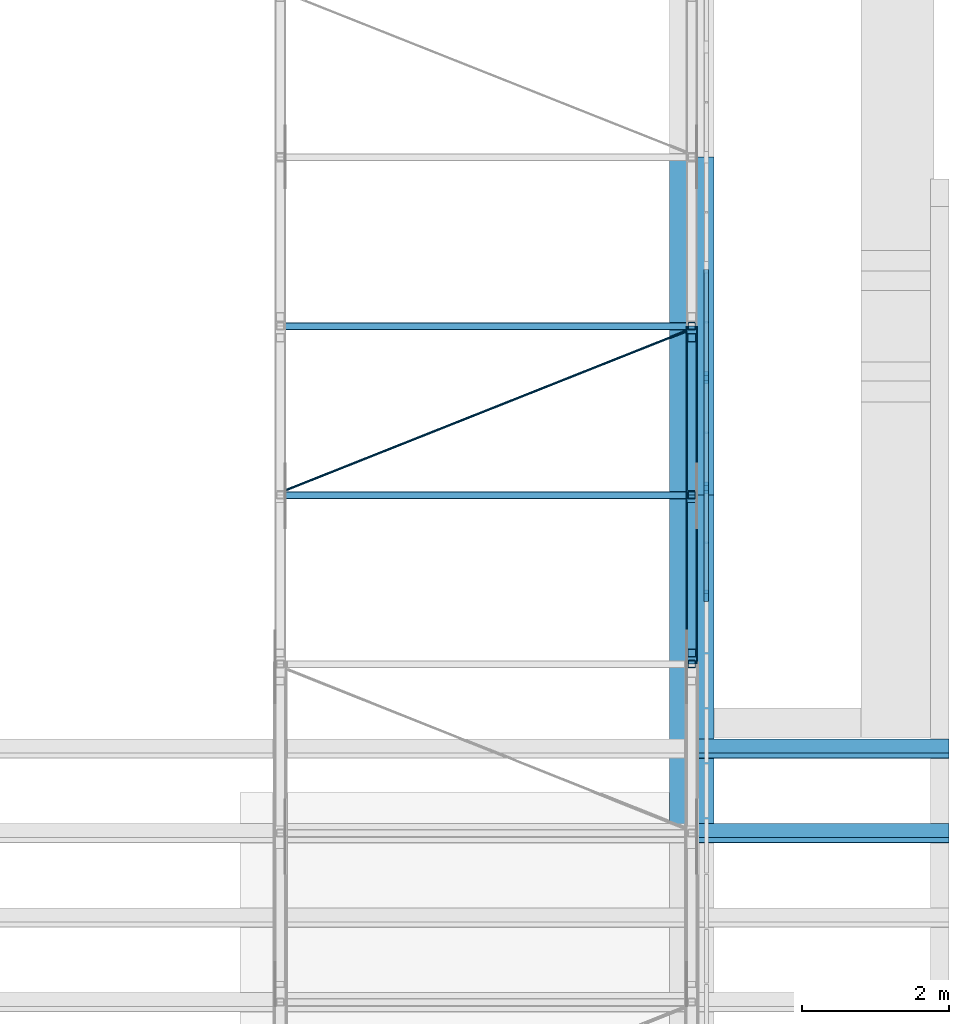
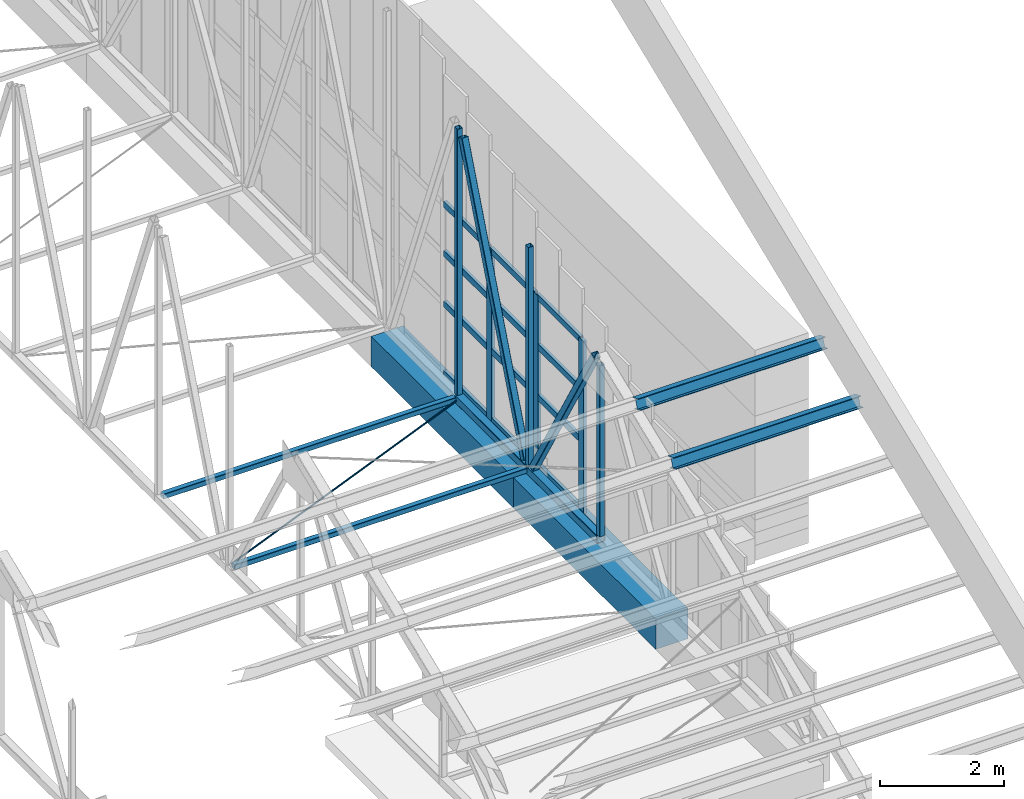
# One storey, part 24 of 71: 27 members, 2 beams, 1 element without a shape of its own.
"""IFC4 building model written with IfcOpenShell, lengths in metres."""

from ifc_helpers import new_model, si_unit, direction, frame, origin, origin_2d, place, context, subcontext, project, spatial, rectangle, hollow_rectangle, circle, i_section, extrude, material, layer, layer_set, material_profile, profile_set, type_object, element, aggregate, save


model = new_model("IFC4")

# Units and contexts
model_context = context("Model", 3, precision=1e-05, world=origin(), true_north=direction((0.0, 1.0)))
body_context = subcontext(model_context, "Body", "Model", "MODEL_VIEW")
ifc_project = project(units=[si_unit("LENGTHUNIT", "METRE"), si_unit("AREAUNIT", "SQUARE_METRE"), si_unit("VOLUMEUNIT", "CUBIC_METRE"), si_unit("PLANEANGLEUNIT", "RADIAN"), si_unit("MASSUNIT", "GRAM", prefix="KILO")], contexts=[model_context])

# Site, building, storey
site_placement = place(None, origin())
site = spatial("IfcSite", under=ifc_project, at=site_placement, CompositionType="ELEMENT")
building_placement = place(site_placement, origin())
building = spatial("IfcBuilding", under=site, at=building_placement, Name="Wasatch Bagh Community Centre", CompositionType="ELEMENT")
storey_placement = place(building_placement, frame((0.0, 0.0, 12.60009765625)))
storey = spatial("IfcBuildingStorey", under=building, at=storey_placement, Name="L03", CompositionType="ELEMENT", Elevation=12.60009765625)

# Members
ifc_material_1 = material(Name="ASTM A500 Grade C steel", Category="steel")
ifc_material_profile_1 = material_profile(ifc_material_1, hollow_rectangle(XDim=0.1015625, YDim=0.1015625, WallThickness=0.005859375, InnerFilletRadius=0.005859375, OuterFilletRadius=0.01171875, at=origin_2d()), Name="HSS4x4x1/4")
ifc_profile_set_1 = profile_set([ifc_material_profile_1], Name="ASTM A500 Grade C steel")
member_type_1 = type_object("IfcMemberType", Name="SH HSS4x4x1/4 post", PredefinedType="POST", material=ifc_profile_set_1)
member_1_placement = place(storey_placement, frame((145.800048828125, 45.10009765625, 0.76220703125), z_axis=(0.0, 0.0, 1.0), x_axis=(1.0, 0.0, 0.0)))
element("IfcMember", 1, at=member_1_placement, inside=storey, type_object=member_type_1, Name="SH.SA7.PS04", PredefinedType="POST", context=body_context, shape_type="SweptSolid", body=[
    extrude(hollow_rectangle(XDim=0.1015625, YDim=0.1015625, WallThickness=0.005859375, InnerFilletRadius=0.005859375, OuterFilletRadius=0.01171875, at=origin_2d()), origin(), (0.0, 0.0, 1.0), 3.37890625),
])
member_2_placement = place(storey_placement, frame((145.800048828125, 47.39990234375, 0.76220703125), z_axis=(0.0, 0.0, 1.0), x_axis=(1.0, 0.0, 0.0)))
element("IfcMember", 2, at=member_2_placement, inside=storey, type_object=member_type_1, Name="SH.SA7.PS05", PredefinedType="POST", context=body_context, shape_type="SweptSolid", body=[
    extrude(hollow_rectangle(XDim=0.1015625, YDim=0.1015625, WallThickness=0.005859375, InnerFilletRadius=0.005859375, OuterFilletRadius=0.01171875, at=origin_2d()), origin(), (0.0, 0.0, 1.0), 4.316162109375),
])
member_3_placement = place(storey_placement, frame((145.800048828125, 49.699951171875, 0.76220703125), z_axis=(0.0, 0.0, 1.0), x_axis=(1.0, 0.0, 0.0)))
element("IfcMember", 3, at=member_3_placement, inside=storey, type_object=member_type_1, Name="SH.SA7.PS06", PredefinedType="POST", context=body_context, shape_type="SweptSolid", body=[
    extrude(hollow_rectangle(XDim=0.1015625, YDim=0.1015625, WallThickness=0.005859375, InnerFilletRadius=0.005859375, OuterFilletRadius=0.01171875, at=origin_2d()), origin(), (0.0, 0.0, 1.0), 5.25341796875),
])
ifc_material_profile_2 = material_profile(ifc_material_1, hollow_rectangle(XDim=0.1015625, YDim=0.1015625, WallThickness=0.005859375, InnerFilletRadius=0.005859375, OuterFilletRadius=0.01171875, at=origin_2d()), Name="HSS4x4x1/4")
ifc_profile_set_2 = profile_set([ifc_material_profile_2], Name="ASTM A500 Grade C steel")
member_type_2 = type_object("IfcMemberType", Name="SH HSS4x4x1/4 strut", PredefinedType="STRUT", material=ifc_profile_set_2)
for number, where, z_axis, x_axis, name in (
    (4, (140.27001953125, 47.39990234375, 0.68603515625), (1.0, 0.0, 0.0), (0.0, 1.0, 0.0), "SH.BR.eB.ST05W"),
    (5, (140.27001953125, 49.699951171875, 0.68603515625), (1.0, 0.0, 0.0), (0.0, 1.0, 0.0), "SH.BR.eB.ST05E"),
):
    element("IfcMember", number, at=place(storey_placement, frame(where, z_axis=z_axis, x_axis=x_axis)), inside=storey, type_object=member_type_2, Name=name, PredefinedType="STRUT", context=body_context, shape_type="SweptSolid", body=[
        extrude(hollow_rectangle(XDim=0.1015625, YDim=0.1015625, WallThickness=0.005859375, InnerFilletRadius=0.005859375, OuterFilletRadius=0.01171875, at=origin_2d()), origin(), (0.0, 0.0, 1.0), 5.4599609375),
    ])
ifc_material_profile_3 = material_profile(ifc_material_1, hollow_rectangle(XDim=0.126953125, YDim=0.126953125, WallThickness=0.00732421875, InnerFilletRadius=0.00732421875, OuterFilletRadius=0.0146484375, at=origin_2d()), Name="HSS5x5x5/16")
ifc_profile_set_3 = profile_set([ifc_material_profile_3], Name="ASTM A500 Grade C steel")
member_type_3 = type_object("IfcMemberType", Name="SH HSS5x5x5/16 brace", PredefinedType="BRACE", material=ifc_profile_set_3)
member_4_placement = place(storey_placement, frame((145.800048828125, 47.24755859375, 0.794677734375), z_axis=(0.0, -0.50383651599, 0.863799030536), x_axis=(1.0, 0.0, 0.0)))
element("IfcMember", 6, at=member_4_placement, inside=storey, type_object=member_type_3, Name="SH.SA7.WB04", PredefinedType="BRACE", context=body_context, shape_type="SweptSolid", body=[
    extrude(hollow_rectangle(XDim=0.126953125, YDim=0.126953125, WallThickness=0.00732421875, InnerFilletRadius=0.00732421875, OuterFilletRadius=0.0146484375, at=origin_2d()), origin(), (0.0, 0.0, 1.0), 3.958984375),
])
member_5_placement = place(storey_placement, frame((145.800048828125, 47.52490234375, 0.785888671875), z_axis=(0.0, 0.365198017435, 0.930929862053), x_axis=(-1.0, 0.0, 0.0)))
element("IfcMember", 7, at=member_5_placement, inside=storey, type_object=member_type_3, Name="SH.SA7.WB05", PredefinedType="BRACE", context=body_context, shape_type="SweptSolid", body=[
    extrude(hollow_rectangle(XDim=0.126953125, YDim=0.126953125, WallThickness=0.00732421875, InnerFilletRadius=0.00732421875, OuterFilletRadius=0.0146484375, at=origin_2d()), origin(), (0.0, 0.0, 1.0), 5.52001953125),
])
ifc_material_profile_4 = material_profile(ifc_material_1, hollow_rectangle(XDim=0.15234375, YDim=0.15234375, WallThickness=0.0087890625, InnerFilletRadius=0.0087890625, OuterFilletRadius=0.017822265625, at=origin_2d()), Name="HSS6x6x3/8")
ifc_profile_set_4 = profile_set([ifc_material_profile_4], Name="ASTM A500 Grade C steel")
member_type_4 = type_object("IfcMemberType", Name="SH HSS6x6x3/8 chord", PredefinedType="CHORD", material=ifc_profile_set_4)
member_6_placement = place(storey_placement, frame((145.800048828125, 45.10009765625, 0.68603515625), z_axis=(0.0, 1.0, 0.0), x_axis=(-1.0, 0.0, 0.0)))
element("IfcMember", 8, at=member_6_placement, inside=storey, type_object=member_type_4, Name="SH.SA7.BC04", PredefinedType="CHORD", context=body_context, shape_type="SweptSolid", body=[
    extrude(hollow_rectangle(XDim=0.15234375, YDim=0.15234375, WallThickness=0.0087890625, InnerFilletRadius=0.0087890625, OuterFilletRadius=0.017822265625, at=origin_2d()), origin(), (0.0, 0.0, 1.0), 2.2998046875),
])
member_7_placement = place(storey_placement, frame((145.800048828125, 47.39990234375, 0.68603515625), z_axis=(0.0, 1.0, 0.0), x_axis=(-1.0, 0.0, 0.0)))
element("IfcMember", 9, at=member_7_placement, inside=storey, type_object=member_type_4, Name="SH.SA7.BC05", PredefinedType="CHORD", context=body_context, shape_type="SweptSolid", body=[
    extrude(hollow_rectangle(XDim=0.15234375, YDim=0.15234375, WallThickness=0.0087890625, InnerFilletRadius=0.0087890625, OuterFilletRadius=0.017822265625, at=origin_2d()), origin(), (0.0, 0.0, 1.0), 2.300048828125),
])

# Beams
ifc_material_2 = material(Name="Concrete C40", Category="concrete")
ifc_material_profile_5 = material_profile(ifc_material_2, rectangle(XDim=0.60009765625, YDim=0.60009765625, at=origin_2d()), Name="RC 600x600")
ifc_profile_set_5 = profile_set([ifc_material_profile_5], Name="Concrete C40")
beam_type = type_object("IfcBeamType", Name="SH RC 600x600 beam", PredefinedType="BEAM", material=ifc_profile_set_5)
beam_1_placement = place(storey_placement, frame((145.800048828125, 42.800048828125, 0.2998046875), z_axis=(0.0, 1.0, 0.0), x_axis=(-1.0, 0.0, 0.0)))
element("IfcBeam", 10, at=beam_1_placement, inside=storey, type_object=beam_type, Name="SH.beam.L03.ring20", PredefinedType="BEAM", context=body_context, shape_type="SweptSolid", body=[
    extrude(rectangle(XDim=0.60009765625, YDim=0.60009765625, at=origin_2d()), origin(), (0.0, 0.0, 1.0), 4.599853515625),
])
beam_2_placement = place(storey_placement, frame((145.800048828125, 47.39990234375, 0.2998046875), z_axis=(0.0, 1.0, 0.0), x_axis=(-1.0, 0.0, 0.0)))
element("IfcBeam", 11, at=beam_2_placement, inside=storey, type_object=beam_type, Name="SH.beam.L03.ring21", PredefinedType="BEAM", context=body_context, shape_type="SweptSolid", body=[
    extrude(rectangle(XDim=0.60009765625, YDim=0.60009765625, at=origin_2d()), origin(), (0.0, 0.0, 1.0), 4.60009765625),
])

# Members
ifc_material_3 = material(Name="ASTM A572 Grade 50 steel", Category="steel")
ifc_material_profile_6 = material_profile(ifc_material_3, circle(Radius=0.01611328125, at=origin_2d()), Name="ROD 32")
ifc_profile_set_6 = profile_set([ifc_material_profile_6], Name="ASTM A572 Grade 50 steel")
member_type_5 = type_object("IfcMemberType", Name="SH ROD 32 brace", PredefinedType="BRACE", material=ifc_profile_set_6)
member_8_placement = place(storey_placement, frame((140.27587890625, 47.4677734375, 0.68603515625), z_axis=(0.929355805049, 0.369185302553, 0.0), x_axis=(-0.369185302553, 0.929355805049, 0.0)))
element("IfcMember", 12, at=member_8_placement, inside=storey, type_object=member_type_5, Name="SH.BR.eB.DG05", PredefinedType="BRACE", context=body_context, shape_type="SweptSolid", body=[
    extrude(circle(Radius=0.01611328125, at=origin_2d()), origin(), (0.0, 0.0, 1.0), 5.8623046875),
])
ifc_material_4 = material(Name="ASTM A992 Grade 50 steel", Category="steel")
ifc_material_profile_7 = material_profile(ifc_material_4, i_section(OverallWidth=0.203125, OverallDepth=0.203125, WebThickness=0.00732421875, FlangeThickness=0.010986328125, at=origin_2d()), Name="W8x31")
ifc_profile_set_7 = profile_set([ifc_material_profile_7], Name="ASTM A992 Grade 50 steel")
member_type_6 = type_object("IfcMemberType", Name="SH W8x31 purlin", PredefinedType="PURLIN", material=ifc_profile_set_7)
for number, where, z_axis, x_axis, name in (
    (13, (145.800048828125, 42.800048828125, 3.577880859375), (1.0, 0.0, 0.0), (0.0, 0.927183854567, -0.374606593416), "SH.PUR.v2.PU08"),
    (14, (145.800048828125, 43.949951171875, 4.042724609375), (1.0, 0.0, 0.0), (0.0, 0.927183854567, -0.374606593416), "SH.PUR.v2.PU09"),
):
    element("IfcMember", number, at=place(storey_placement, frame(where, z_axis=z_axis, x_axis=x_axis)), inside=storey, type_object=member_type_6, Name=name, PredefinedType="PURLIN", context=body_context, shape_type="SweptSolid", body=[
        extrude(i_section(OverallWidth=0.203125, OverallDepth=0.203125, WebThickness=0.00732421875, FlangeThickness=0.010986328125, at=origin_2d()), origin(), (0.0, 0.0, 1.0), 3.5),
    ])

# Curtain wall, members
ifc_material_5 = material(Name="Aluminium alloy 6063-T6", Category="aluminium")
ifc_layer = layer(ifc_material_5, 0.10009765625)
ifc_layer_set = layer_set([ifc_layer], Name="Aluminium alloy 6063-T6")
curtain_wall_type = type_object("IfcCurtainWallType", Name="SH-CW2", PredefinedType="NOTDEFINED", material=ifc_layer_set)
curtain_wall_placement = place(storey_placement, origin())
curtain_wall = element("IfcCurtainWall", 15, at=curtain_wall_placement, inside=storey, type_object=curtain_wall_type, Name="Curtain wall SH-CW2", PredefinedType="NOTDEFINED")
ifc_material_profile_8 = material_profile(ifc_material_5, rectangle(XDim=0.06005859375, YDim=0.159912109375, at=origin_2d()), Name="AL 60x160")
ifc_profile_set_8 = profile_set([ifc_material_profile_8], Name="Aluminium alloy 6063-T6")
member_type_7 = type_object("IfcMemberType", Name="SH-CW2 mullion", PredefinedType="MULLION", material=ifc_profile_set_8)
member_9_placement = place(storey_placement, frame((146.0, 46.030029296875, 0.599853515625), z_axis=(0.0, 0.0, 1.0), x_axis=(-1.0, 0.0, 0.0)))
member_9 = element("IfcMember", 16, at=member_9_placement, type_object=member_type_7, Name="SH-CW2 mullion 1", PredefinedType="MULLION", context=body_context, shape_type="SweptSolid", body=[
    extrude(rectangle(XDim=0.06005859375, YDim=0.159912109375, at=origin_2d()), origin(), (0.0, 0.0, 1.0), 3.400146484375),
])
member_10_placement = place(storey_placement, frame((146.0, 47.5, 0.599853515625), z_axis=(0.0, 0.0, 1.0), x_axis=(-1.0, 0.0, 0.0)))
member_10 = element("IfcMember", 17, at=member_10_placement, type_object=member_type_7, Name="SH-CW2 mullion 2", PredefinedType="MULLION", context=body_context, shape_type="SweptSolid", body=[
    extrude(rectangle(XDim=0.06005859375, YDim=0.159912109375, at=origin_2d()), origin(), (0.0, 0.0, 1.0), 3.400146484375),
])
member_11_placement = place(storey_placement, frame((146.0, 49.0, 0.599853515625), z_axis=(0.0, 0.0, 1.0), x_axis=(-1.0, 0.0, 0.0)))
member_11 = element("IfcMember", 18, at=member_11_placement, type_object=member_type_7, Name="SH-CW2 mullion 3", PredefinedType="MULLION", context=body_context, shape_type="SweptSolid", body=[
    extrude(rectangle(XDim=0.06005859375, YDim=0.159912109375, at=origin_2d()), origin(), (0.0, 0.0, 1.0), 3.400146484375),
])
ifc_material_profile_9 = material_profile(ifc_material_5, rectangle(XDim=0.06005859375, YDim=0.1201171875, at=origin_2d()), Name="AL 60x120")
ifc_profile_set_9 = profile_set([ifc_material_profile_9], Name="Aluminium alloy 6063-T6")
member_type_8 = type_object("IfcMemberType", Name="SH-CW2 transom", PredefinedType="USERDEFINED", material=ifc_profile_set_9)
member_12_placement = place(storey_placement, frame((146.0, 46.06005859375, 0.6298828125), z_axis=(0.0, 1.0, 0.0), x_axis=(-1.0, 0.0, 0.0)))
member_12 = element("IfcMember", 19, at=member_12_placement, type_object=member_type_8, Name="SH-CW2 transom 1.1", ObjectType="TRANSOM", PredefinedType="USERDEFINED", context=body_context, shape_type="SweptSolid", body=[
    extrude(rectangle(XDim=0.06005859375, YDim=0.1201171875, at=origin_2d()), origin(), (0.0, 0.0, 1.0), 1.409912109375),
])
member_13_placement = place(storey_placement, frame((146.0, 46.06005859375, 2.0), z_axis=(0.0, 1.0, 0.0), x_axis=(-1.0, 0.0, 0.0)))
member_13 = element("IfcMember", 20, at=member_13_placement, type_object=member_type_8, Name="SH-CW2 transom 1.2", ObjectType="TRANSOM", PredefinedType="USERDEFINED", context=body_context, shape_type="SweptSolid", body=[
    extrude(rectangle(XDim=0.06005859375, YDim=0.1201171875, at=origin_2d()), origin(), (0.0, 0.0, 1.0), 1.409912109375),
])
member_14_placement = place(storey_placement, frame((146.0, 46.06005859375, 3.0), z_axis=(0.0, 1.0, 0.0), x_axis=(-1.0, 0.0, 0.0)))
member_14 = element("IfcMember", 21, at=member_14_placement, type_object=member_type_8, Name="SH-CW2 transom 1.3", ObjectType="TRANSOM", PredefinedType="USERDEFINED", context=body_context, shape_type="SweptSolid", body=[
    extrude(rectangle(XDim=0.06005859375, YDim=0.1201171875, at=origin_2d()), origin(), (0.0, 0.0, 1.0), 1.409912109375),
])
member_15_placement = place(storey_placement, frame((146.0, 46.06005859375, 3.969970703125), z_axis=(0.0, 1.0, 0.0), x_axis=(-1.0, 0.0, 0.0)))
member_15 = element("IfcMember", 22, at=member_15_placement, type_object=member_type_8, Name="SH-CW2 transom 1.4", ObjectType="TRANSOM", PredefinedType="USERDEFINED", context=body_context, shape_type="SweptSolid", body=[
    extrude(rectangle(XDim=0.06005859375, YDim=0.1201171875, at=origin_2d()), origin(), (0.0, 0.0, 1.0), 1.409912109375),
])
member_16_placement = place(storey_placement, frame((146.0, 47.530029296875, 0.6298828125), z_axis=(0.0, 1.0, 0.0), x_axis=(-1.0, 0.0, 0.0)))
member_16 = element("IfcMember", 23, at=member_16_placement, type_object=member_type_8, Name="SH-CW2 transom 2.1", ObjectType="TRANSOM", PredefinedType="USERDEFINED", context=body_context, shape_type="SweptSolid", body=[
    extrude(rectangle(XDim=0.06005859375, YDim=0.1201171875, at=origin_2d()), origin(), (0.0, 0.0, 1.0), 1.43994140625),
])
member_17_placement = place(storey_placement, frame((146.0, 47.530029296875, 2.0), z_axis=(0.0, 1.0, 0.0), x_axis=(-1.0, 0.0, 0.0)))
member_17 = element("IfcMember", 24, at=member_17_placement, type_object=member_type_8, Name="SH-CW2 transom 2.2", ObjectType="TRANSOM", PredefinedType="USERDEFINED", context=body_context, shape_type="SweptSolid", body=[
    extrude(rectangle(XDim=0.06005859375, YDim=0.1201171875, at=origin_2d()), origin(), (0.0, 0.0, 1.0), 1.43994140625),
])
member_18_placement = place(storey_placement, frame((146.0, 47.530029296875, 3.0), z_axis=(0.0, 1.0, 0.0), x_axis=(-1.0, 0.0, 0.0)))
member_18 = element("IfcMember", 25, at=member_18_placement, type_object=member_type_8, Name="SH-CW2 transom 2.3", ObjectType="TRANSOM", PredefinedType="USERDEFINED", context=body_context, shape_type="SweptSolid", body=[
    extrude(rectangle(XDim=0.06005859375, YDim=0.1201171875, at=origin_2d()), origin(), (0.0, 0.0, 1.0), 1.43994140625),
])
member_19_placement = place(storey_placement, frame((146.0, 47.530029296875, 3.969970703125), z_axis=(0.0, 1.0, 0.0), x_axis=(-1.0, 0.0, 0.0)))
member_19 = element("IfcMember", 26, at=member_19_placement, type_object=member_type_8, Name="SH-CW2 transom 2.4", ObjectType="TRANSOM", PredefinedType="USERDEFINED", context=body_context, shape_type="SweptSolid", body=[
    extrude(rectangle(XDim=0.06005859375, YDim=0.1201171875, at=origin_2d()), origin(), (0.0, 0.0, 1.0), 1.43994140625),
])
member_20_placement = place(storey_placement, frame((146.0, 49.030029296875, 0.6298828125), z_axis=(0.0, 1.0, 0.0), x_axis=(-1.0, 0.0, 0.0)))
member_20 = element("IfcMember", 27, at=member_20_placement, type_object=member_type_8, Name="SH-CW2 transom 3.1", ObjectType="TRANSOM", PredefinedType="USERDEFINED", context=body_context, shape_type="SweptSolid", body=[
    extrude(rectangle(XDim=0.06005859375, YDim=0.1201171875, at=origin_2d()), origin(), (0.0, 0.0, 1.0), 1.43994140625),
])
member_21_placement = place(storey_placement, frame((146.0, 49.030029296875, 2.0), z_axis=(0.0, 1.0, 0.0), x_axis=(-1.0, 0.0, 0.0)))
member_21 = element("IfcMember", 28, at=member_21_placement, type_object=member_type_8, Name="SH-CW2 transom 3.2", ObjectType="TRANSOM", PredefinedType="USERDEFINED", context=body_context, shape_type="SweptSolid", body=[
    extrude(rectangle(XDim=0.06005859375, YDim=0.1201171875, at=origin_2d()), origin(), (0.0, 0.0, 1.0), 1.43994140625),
])
member_22_placement = place(storey_placement, frame((146.0, 49.030029296875, 3.0), z_axis=(0.0, 1.0, 0.0), x_axis=(-1.0, 0.0, 0.0)))
member_22 = element("IfcMember", 29, at=member_22_placement, type_object=member_type_8, Name="SH-CW2 transom 3.3", ObjectType="TRANSOM", PredefinedType="USERDEFINED", context=body_context, shape_type="SweptSolid", body=[
    extrude(rectangle(XDim=0.06005859375, YDim=0.1201171875, at=origin_2d()), origin(), (0.0, 0.0, 1.0), 1.43994140625),
])
member_23_placement = place(storey_placement, frame((146.0, 49.030029296875, 3.969970703125), z_axis=(0.0, 1.0, 0.0), x_axis=(-1.0, 0.0, 0.0)))
member_23 = element("IfcMember", 30, at=member_23_placement, type_object=member_type_8, Name="SH-CW2 transom 3.4", ObjectType="TRANSOM", PredefinedType="USERDEFINED", context=body_context, shape_type="SweptSolid", body=[
    extrude(rectangle(XDim=0.06005859375, YDim=0.1201171875, at=origin_2d()), origin(), (0.0, 0.0, 1.0), 1.43994140625),
])
aggregate(curtain_wall, [member_9, member_10, member_11, member_12, member_13, member_14, member_15, member_16, member_17, member_18, member_19, member_20, member_21, member_22, member_23])

save(model, "model.ifc")
